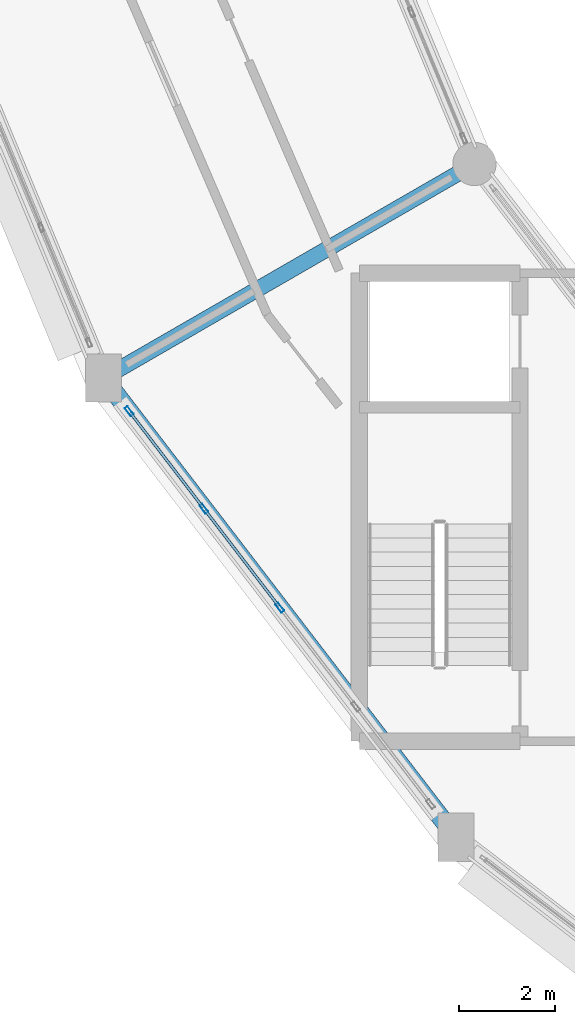
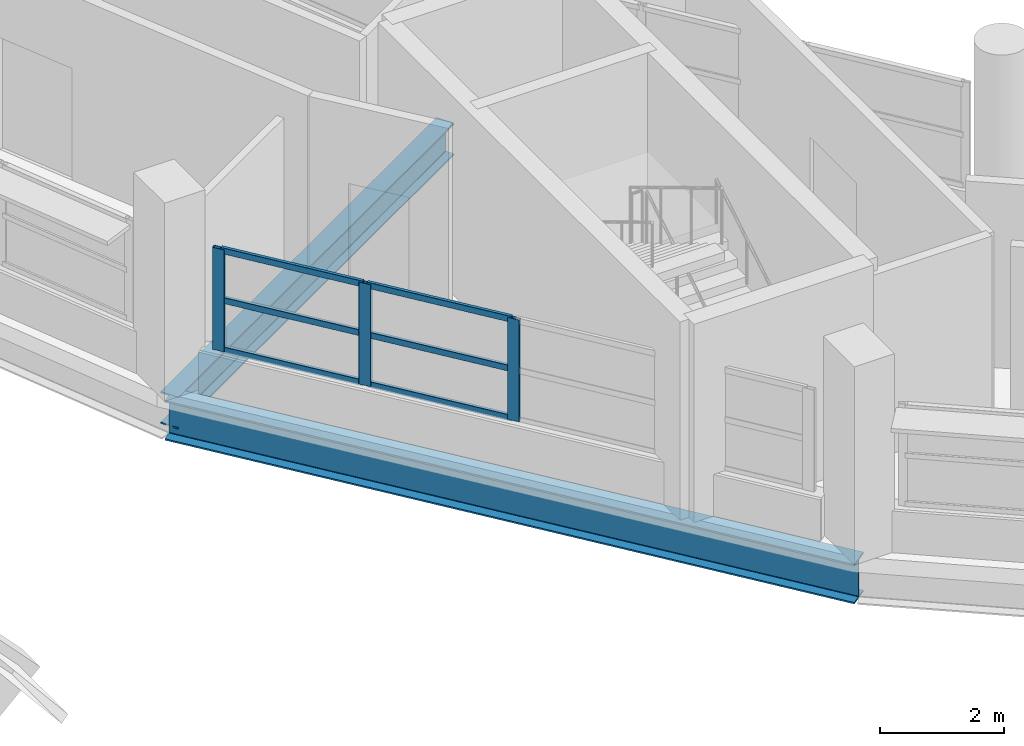
# One storey, part 17 of 88: 9 members, 2 beams, 1 element without a shape of its own.
"""IFC4 building model written with IfcOpenShell, lengths in metres."""

import ifcopenshell
import ifcopenshell.guid

model = None  # the IFC model being written
_history = None  # IfcOwnerHistory: only IFC2X3 demands one
_inside = {}  # id of a spatial element -> (the spatial element, [elements in it])
_under = {}  # id of a project, library or spatial element -> (it, [spatial elements below it])
_declared = {}  # id of a project -> (the project, [libraries it declares])
_typed = {}  # id of a type object -> (the type object, [elements of that type])
_made_of = {}  # id of a material, layer set ... -> (it, [elements and type objects made of it])


def new_model(schema):
    """Start an empty IFC model of exactly this schema.

    Asked for "IFC4X3", IfcOpenShell would pick the latest addendum, in which some entities
    have other attributes; the version numbers below select the first issue.
    IFC2X3 requires an IfcOwnerHistory on every rooted entity: one is made here for all.
    """
    global model, _history
    if schema == "IFC4X3":
        model = ifcopenshell.file(schema_version=(4, 3, 0, 0))
    else:
        model = ifcopenshell.file(schema=schema)
    _inside.clear()
    _under.clear()
    _declared.clear()
    _typed.clear()
    _made_of.clear()
    _history = None
    if model.schema == "IFC2X3":
        org = make("IfcOrganization", Name="unknown")
        user = make(
            "IfcPersonAndOrganization",
            ThePerson=make("IfcPerson", FamilyName="unknown"),
            TheOrganization=org,
        )
        app = make(
            "IfcApplication",
            ApplicationDeveloper=org,
            Version="unknown",
            ApplicationFullName="unknown",
            ApplicationIdentifier="unknown",
        )
        _history = make(
            "IfcOwnerHistory",
            OwningUser=user,
            OwningApplication=app,
            ChangeAction="ADDED",
            CreationDate=0,
        )
    return model


def make(cls, **values):
    """One entity of the class cls with the attributes given. An attribute that is None is left unset."""
    return model.create_entity(
        cls, **{name: value for name, value in values.items() if value is not None}
    )


def rooted(cls, **values):
    """An entity with a GlobalId (a new one), such as an element, a storey or a relation."""
    return make(cls, GlobalId=ifcopenshell.guid.new(), OwnerHistory=_history, **values)


def si_unit(unit_type, name, prefix=None):
    """IfcSIUnit, for example si_unit("LENGTHUNIT", "METRE", prefix="MILLI")."""
    return make("IfcSIUnit", UnitType=unit_type, Prefix=prefix, Name=name)


def assignment(units):
    """IfcUnitAssignment: the units of a project."""
    return None if units is None else make("IfcUnitAssignment", Units=units)


def point(xyz):
    """IfcCartesianPoint."""
    return None if xyz is None else make("IfcCartesianPoint", Coordinates=xyz)


def direction(xyz):
    """IfcDirection."""
    return None if xyz is None else make("IfcDirection", DirectionRatios=xyz)


def frame(location, z_axis=None, x_axis=None):
    """IfcAxis2Placement3D, a coordinate frame: its origin and axes. An axis left out is left unset."""
    return make(
        "IfcAxis2Placement3D",
        Location=point(location),
        Axis=direction(z_axis),
        RefDirection=direction(x_axis),
    )


def frame_2d(location, x_axis=None):
    """IfcAxis2Placement2D, a coordinate frame in the plane: its origin and x axis."""
    return make(
        "IfcAxis2Placement2D", Location=point(location), RefDirection=direction(x_axis)
    )


def origin():
    """The frame at (0, 0, 0) with its axes left unset."""
    return frame((0.0, 0.0, 0.0))


def origin_2d():
    """The frame at (0, 0) in the plane with its x axis left unset."""
    return frame_2d((0.0, 0.0))


def place(relative_to, where):
    """IfcLocalPlacement: puts the frame where relative to a parent placement (None: the world)."""
    return make(
        "IfcLocalPlacement", PlacementRelTo=relative_to, RelativePlacement=where
    )


def context(
    kind, dimensions, precision=None, world=None, true_north=None, identifier=None
):
    """IfcGeometricRepresentationContext, for example the 3D "Model" context."""
    return make(
        "IfcGeometricRepresentationContext",
        ContextIdentifier=identifier,
        ContextType=kind,
        CoordinateSpaceDimension=dimensions,
        Precision=precision,
        WorldCoordinateSystem=world,
        TrueNorth=true_north,
    )


def subcontext(parent, identifier, kind, view, scale=None):
    """IfcGeometricRepresentationSubContext, for example "Body" below "Model"."""
    return make(
        "IfcGeometricRepresentationSubContext",
        ContextIdentifier=identifier,
        ContextType=kind,
        ParentContext=parent,
        TargetScale=scale,
        TargetView=view,
    )


def project(units=None, contexts=None):
    """IfcProject with its units and contexts."""
    return rooted(
        "IfcProject",
        Name="project",
        RepresentationContexts=contexts,
        UnitsInContext=assignment(units),
    )


def spatial(cls, under=None, at=None, **own):
    """A site, building, storey or space (cls), placed at a placement, below another one or the project."""
    s = rooted(cls, ObjectPlacement=at, **own)
    if under is not None:
        _under.setdefault(under.id(), (under, []))[1].append(s)
    return s


def profile(cls, at=None, kind="AREA", **sizes):
    """A parametric profile (cls). Its sizes go by their IFC names, for example OverallWidth=200.0."""
    return make(cls, ProfileType=kind, Position=at, **sizes)


def hollow_rectangle(**sizes):
    """IfcRectangleHollowProfileDef."""
    return profile("IfcRectangleHollowProfileDef", **sizes)


def i_section(**sizes):
    """IfcIShapeProfileDef."""
    return profile("IfcIShapeProfileDef", **sizes)


def extrude(swept, where, along, depth):
    """IfcExtrudedAreaSolid: the profile swept, set in the frame where, extruded along a direction by depth."""
    return make(
        "IfcExtrudedAreaSolid",
        SweptArea=swept,
        Position=where,
        ExtrudedDirection=direction(along),
        Depth=depth,
    )


def shape(context_of_items, identifier, shape_type, items):
    """IfcShapeRepresentation: the items that make up one representation, for example the "Body"."""
    return make(
        "IfcShapeRepresentation",
        ContextOfItems=context_of_items,
        RepresentationIdentifier=identifier,
        RepresentationType=shape_type,
        Items=items,
    )


def material(Name=None, Category=None):
    """IfcMaterial."""
    return make("IfcMaterial", Name=Name, Category=Category)


def layer(
    of_material, thickness, ventilated=None, Name=None, Category=None, Priority=None
):
    """IfcMaterialLayer: one layer of a wall or slab, of a material (None: an air gap)."""
    return make(
        "IfcMaterialLayer",
        Material=of_material,
        LayerThickness=thickness,
        IsVentilated=ventilated,
        Name=Name,
        Category=Category,
        Priority=Priority,
    )


def layer_set(layers, Name=None):
    """IfcMaterialLayerSet."""
    return make("IfcMaterialLayerSet", MaterialLayers=layers, LayerSetName=Name)


def material_profile(
    of_material, cross_section, Name=None, Category=None, Priority=None
):
    """IfcMaterialProfile: a cross section and its material."""
    return make(
        "IfcMaterialProfile",
        Name=Name,
        Material=of_material,
        Profile=cross_section,
        Priority=Priority,
        Category=Category,
    )


def profile_set(profiles, Name=None, composite=None):
    """IfcMaterialProfileSet."""
    return make(
        "IfcMaterialProfileSet",
        Name=Name,
        MaterialProfiles=profiles,
        CompositeProfile=composite,
    )


def made_of(thing, what):
    """Note that an element or type object is made of a material, layer set ...; save() writes the relation."""
    if what is not None:
        _made_of.setdefault(what.id(), (what, []))[1].append(thing)
    return thing


def type_object(cls, material=None, **own):
    """A type object (cls), such as IfcWallType, which elements share."""
    return made_of(rooted(cls, **own), material)


def element(
    cls,
    number,
    at=None,
    inside=None,
    cuts=None,
    type_object=None,
    material=None,
    context=None,
    identifier="Body",
    shape_type=None,
    held_by="IfcProductDefinitionShape",
    body=None,
    shapes=None,
    **own,
):
    """One element of the class cls, such as IfcWall. Its Tag is "e" and its number.

    at: its placement. inside: the storey or other place that contains it. cuts: it is an
    opening in that element (IfcRelVoidsElement). A single representation is given by context,
    identifier, shape_type and body (its items); several are given by shapes. held_by: the class
    of the entity that holds the representations. save() writes the other relations.
    """
    e = rooted(cls, Tag="e%d" % number, ObjectPlacement=at, **own)
    if body is not None:
        shapes = [shape(context, identifier, shape_type, body)]
    if shapes is not None:
        e.Representation = make(held_by, Representations=shapes)
    if inside is not None:
        _inside.setdefault(inside.id(), (inside, []))[1].append(e)
    if cuts is not None:
        rooted(
            "IfcRelVoidsElement", RelatingBuildingElement=cuts, RelatedOpeningElement=e
        )
    if type_object is not None:
        _typed.setdefault(type_object.id(), (type_object, []))[1].append(e)
    return made_of(e, material)


def aggregate(whole, parts):
    """IfcRelAggregates: a whole, such as a stair, and the parts it consists of."""
    return rooted("IfcRelAggregates", RelatingObject=whole, RelatedObjects=parts)


def save(model, path):
    """Write the relations noted so far, then the file.

    IfcRelAggregates (storeys below a building ...), IfcRelContainedInSpatialStructure (elements
    in a storey), IfcRelDefinesByType, IfcRelAssociatesMaterial and IfcRelDeclares: one each for
    every whole, place, type object, material and project.
    """
    for whole, parts in _under.values():
        aggregate(whole, parts)
    for where, things in _inside.values():
        rooted(
            "IfcRelContainedInSpatialStructure",
            RelatedElements=things,
            RelatingStructure=where,
        )
    for kind, things in _typed.values():
        rooted("IfcRelDefinesByType", RelatedObjects=things, RelatingType=kind)
    for what, things in _made_of.values():
        rooted("IfcRelAssociatesMaterial", RelatedObjects=things, RelatingMaterial=what)
    for by, libraries in _declared.values():
        rooted("IfcRelDeclares", RelatingContext=by, RelatedDefinitions=libraries)
    model.write(path)


model = new_model("IFC4")

# Units and contexts
model_context = context("Model", 3, precision=1e-05, world=origin(), true_north=direction((0.0, 1.0)))
body_context = subcontext(model_context, "Body", "Model", "MODEL_VIEW")
ifc_project = project(units=[si_unit("LENGTHUNIT", "METRE"), si_unit("AREAUNIT", "SQUARE_METRE"), si_unit("VOLUMEUNIT", "CUBIC_METRE"), si_unit("PLANEANGLEUNIT", "RADIAN"), si_unit("MASSUNIT", "GRAM", prefix="KILO")], contexts=[model_context])

# Site, building, storey
site_placement = place(None, origin())
site = spatial("IfcSite", under=ifc_project, at=site_placement, CompositionType="ELEMENT")
building_placement = place(site_placement, origin())
building = spatial("IfcBuilding", under=site, at=building_placement, Name="Vespera Passage Community Centre", CompositionType="ELEMENT")
storey_placement = place(building_placement, frame((0.0, 0.0, 16.5)))
storey = spatial("IfcBuildingStorey", under=building, at=storey_placement, Name="L04", CompositionType="ELEMENT", Elevation=16.5)

# Beams
ifc_material_1 = material(Name="Steel ASTM A992 Grade 50", Category="steel")
ifc_material_profile_1 = material_profile(ifc_material_1, i_section(OverallWidth=0.32763671875, OverallDepth=0.62841796875, WebThickness=0.0166015625, FlangeThickness=0.027587890625, FilletRadius=0.0126953125, at=origin_2d()), Name="W24X146")
ifc_profile_set_1 = profile_set([ifc_material_profile_1], Name="Steel ASTM A992 Grade 50")
beam_type_1 = type_object("IfcBeamType", Name="BM-G-W24X146", PredefinedType="BEAM", material=ifc_profile_set_1)
beam_1_placement = place(storey_placement, frame((45.783935546875, 46.89990234375, -0.6142578125), z_axis=(-0.866031643847, -0.499989191739, 0.0), x_axis=(0.499989191739, -0.866031643847, 0.0)))
element("IfcBeam", 1, at=beam_1_placement, inside=storey, type_object=beam_type_1, Name="V4 L04 Radial Girder 14", PredefinedType="BEAM", context=body_context, shape_type="SweptSolid", body=[
    extrude(i_section(OverallWidth=0.32763671875, OverallDepth=0.62841796875, WebThickness=0.0166015625, FlangeThickness=0.027587890625, FilletRadius=0.0126953125, at=origin_2d()), origin(), (0.0, 0.0, 1.0), 8.900146484375),
])
ifc_material_2 = material(Name="Steel ASTM A992 Grade 50", Category="steel")
ifc_material_profile_2 = material_profile(ifc_material_2, i_section(OverallWidth=0.382080078125, OverallDepth=0.779296875, WebThickness=0.01806640625, FlangeThickness=0.030029296875, FilletRadius=0.0166015625, at=origin_2d()), Name="W30X191")
ifc_profile_set_2 = profile_set([ifc_material_profile_2], Name="Steel ASTM A992 Grade 50")
beam_type_2 = type_object("IfcBeamType", Name="BM-SP-W30X191E", PredefinedType="SPANDREL", material=ifc_profile_set_2)
beam_2_placement = place(storey_placement, frame((38.076171875, 42.449951171875, -0.689697265625), z_axis=(0.608763261066, -0.793351934501, 0.0), x_axis=(0.793351934501, 0.608763261066, 0.0)))
element("IfcBeam", 2, at=beam_2_placement, inside=storey, type_object=beam_type_2, Name="V4 L04 Outer Spandrel 14", PredefinedType="SPANDREL", context=body_context, shape_type="SweptSolid", body=[
    extrude(i_section(OverallWidth=0.382080078125, OverallDepth=0.779296875, WebThickness=0.01806640625, FlangeThickness=0.030029296875, FilletRadius=0.0166015625, at=origin_2d()), origin(), (0.0, 0.0, 1.0), 12.034423828125),
])

# Curtain wall, members
ifc_material_3 = material(Name="Anodized aluminium 6063-T6", Category="aluminium")
ifc_layer = layer(ifc_material_3, 0.159912109375)
ifc_layer_set = layer_set([ifc_layer], Name="Anodized aluminium 6063-T6")
curtain_wall_type = type_object("IfcCurtainWallType", Name="CW-66E", PredefinedType="NOTDEFINED", material=ifc_layer_set)
curtain_wall_placement = place(storey_placement, origin())
curtain_wall = element("IfcCurtainWall", 3, at=curtain_wall_placement, inside=storey, type_object=curtain_wall_type, Name="V4 L04 Outer Ribbon Curtain Wall 14", PredefinedType="NOTDEFINED")
ifc_material_4 = material(Name="Anodized aluminium 6063-T6", Category="aluminium")
ifc_material_profile_3 = material_profile(ifc_material_4, hollow_rectangle(XDim=0.074951171875, YDim=0.2099609375, WallThickness=0.0048828125, InnerFilletRadius=0.00244140625, OuterFilletRadius=0.0048828125, at=origin_2d()), Name="ALU210X75X5")
ifc_profile_set_3 = profile_set([ifc_material_profile_3], Name="Anodized aluminium 6063-T6")
member_type_1 = type_object("IfcMemberType", Name="MB-CWM-210E", PredefinedType="MULLION", material=ifc_profile_set_3)
member_1_placement = place(storey_placement, frame((41.7392578125, 37.67626953125, 0.820068359375), z_axis=(0.0, 0.0, 1.0), x_axis=(-0.793350257139, -0.608765447029, 0.0)))
member_1 = element("IfcMember", 4, at=member_1_placement, type_object=member_type_1, Name="CW-66E mullion 3", PredefinedType="MULLION", context=body_context, shape_type="SweptSolid", body=[
    extrude(hollow_rectangle(XDim=0.074951171875, YDim=0.2099609375, WallThickness=0.0048828125, InnerFilletRadius=0.00244140625, OuterFilletRadius=0.0048828125, at=origin_2d()), origin(), (0.0, 0.0, 1.0), 2.005615234375),
])
member_2_placement = place(storey_placement, frame((40.16064453125, 39.7333984375, 0.820068359375), z_axis=(0.0, 0.0, 1.0), x_axis=(-0.793350257139, -0.608765447029, 0.0)))
member_2 = element("IfcMember", 5, at=member_2_placement, type_object=member_type_1, Name="CW-66E mullion 4", PredefinedType="MULLION", context=body_context, shape_type="SweptSolid", body=[
    extrude(hollow_rectangle(XDim=0.074951171875, YDim=0.2099609375, WallThickness=0.0048828125, InnerFilletRadius=0.00244140625, OuterFilletRadius=0.0048828125, at=origin_2d()), origin(), (0.0, 0.0, 1.0), 2.005615234375),
])
member_3_placement = place(storey_placement, frame((38.60498046875, 41.760986328125, 0.820068359375), z_axis=(0.0, 0.0, 1.0), x_axis=(-0.793350257139, -0.608765447029, 0.0)))
member_3 = element("IfcMember", 6, at=member_3_placement, type_object=member_type_1, Name="CW-66E mullion 5", PredefinedType="MULLION", context=body_context, shape_type="SweptSolid", body=[
    extrude(hollow_rectangle(XDim=0.074951171875, YDim=0.2099609375, WallThickness=0.0048828125, InnerFilletRadius=0.00244140625, OuterFilletRadius=0.0048828125, at=origin_2d()), origin(), (0.0, 0.0, 1.0), 2.005615234375),
])
ifc_material_5 = material(Name="Anodized aluminium 6063-T6", Category="aluminium")
ifc_material_profile_4 = material_profile(ifc_material_5, hollow_rectangle(XDim=0.06005859375, YDim=0.1201171875, WallThickness=0.00390625, InnerFilletRadius=0.001953125, OuterFilletRadius=0.00390625, at=origin_2d()), Name="ALU120X60X4")
ifc_profile_set_4 = profile_set([ifc_material_profile_4], Name="Anodized aluminium 6063-T6")
member_type_2 = type_object("IfcMemberType", Name="MB-CWT-120E", PredefinedType="USERDEFINED", material=ifc_profile_set_4)
member_4_placement = place(storey_placement, frame((41.716552734375, 37.7060546875, 0.85009765625), z_axis=(-0.608806013392, 0.7933191275, 0.0), x_axis=(-0.7933191275, -0.608806013392, 0.0)))
member_4 = element("IfcMember", 7, at=member_4_placement, type_object=member_type_2, Name="CW-66E transom 3.1", ObjectType="TRANSOM", PredefinedType="USERDEFINED", context=body_context, shape_type="SweptSolid", body=[
    extrude(hollow_rectangle(XDim=0.06005859375, YDim=0.1201171875, WallThickness=0.00390625, InnerFilletRadius=0.001953125, OuterFilletRadius=0.00390625, at=origin_2d()), origin(), (0.0, 0.0, 1.0), 2.51806640625),
])
member_5_placement = place(storey_placement, frame((41.716552734375, 37.7060546875, 1.82275390625), z_axis=(-0.608806013392, 0.7933191275, 0.0), x_axis=(-0.7933191275, -0.608806013392, 0.0)))
member_5 = element("IfcMember", 8, at=member_5_placement, type_object=member_type_2, Name="CW-66E transom 3.2", ObjectType="TRANSOM", PredefinedType="USERDEFINED", context=body_context, shape_type="SweptSolid", body=[
    extrude(hollow_rectangle(XDim=0.06005859375, YDim=0.1201171875, WallThickness=0.00390625, InnerFilletRadius=0.001953125, OuterFilletRadius=0.00390625, at=origin_2d()), origin(), (0.0, 0.0, 1.0), 2.51806640625),
])
member_6_placement = place(storey_placement, frame((41.716552734375, 37.7060546875, 2.795654296875), z_axis=(-0.608806013392, 0.7933191275, 0.0), x_axis=(-0.7933191275, -0.608806013392, 0.0)))
member_6 = element("IfcMember", 9, at=member_6_placement, type_object=member_type_2, Name="CW-66E transom 3.3", ObjectType="TRANSOM", PredefinedType="USERDEFINED", context=body_context, shape_type="SweptSolid", body=[
    extrude(hollow_rectangle(XDim=0.06005859375, YDim=0.1201171875, WallThickness=0.00390625, InnerFilletRadius=0.001953125, OuterFilletRadius=0.00390625, at=origin_2d()), origin(), (0.0, 0.0, 1.0), 2.51806640625),
])
member_7_placement = place(storey_placement, frame((40.137939453125, 39.76318359375, 0.85009765625), z_axis=(-0.608797179099, 0.793325907002, 0.0), x_axis=(-0.793325907002, -0.608797179099, 0.0)))
member_7 = element("IfcMember", 10, at=member_7_placement, type_object=member_type_2, Name="CW-66E transom 4.1", ObjectType="TRANSOM", PredefinedType="USERDEFINED", context=body_context, shape_type="SweptSolid", body=[
    extrude(hollow_rectangle(XDim=0.06005859375, YDim=0.1201171875, WallThickness=0.00390625, InnerFilletRadius=0.001953125, OuterFilletRadius=0.00390625, at=origin_2d()), origin(), (0.0, 0.0, 1.0), 2.480712890625),
])
member_8_placement = place(storey_placement, frame((40.137939453125, 39.76318359375, 1.82275390625), z_axis=(-0.608797179099, 0.793325907002, 0.0), x_axis=(-0.793325907002, -0.608797179099, 0.0)))
member_8 = element("IfcMember", 11, at=member_8_placement, type_object=member_type_2, Name="CW-66E transom 4.2", ObjectType="TRANSOM", PredefinedType="USERDEFINED", context=body_context, shape_type="SweptSolid", body=[
    extrude(hollow_rectangle(XDim=0.06005859375, YDim=0.1201171875, WallThickness=0.00390625, InnerFilletRadius=0.001953125, OuterFilletRadius=0.00390625, at=origin_2d()), origin(), (0.0, 0.0, 1.0), 2.480712890625),
])
member_9_placement = place(storey_placement, frame((40.137939453125, 39.76318359375, 2.795654296875), z_axis=(-0.608797179099, 0.793325907002, 0.0), x_axis=(-0.793325907002, -0.608797179099, 0.0)))
member_9 = element("IfcMember", 12, at=member_9_placement, type_object=member_type_2, Name="CW-66E transom 4.3", ObjectType="TRANSOM", PredefinedType="USERDEFINED", context=body_context, shape_type="SweptSolid", body=[
    extrude(hollow_rectangle(XDim=0.06005859375, YDim=0.1201171875, WallThickness=0.00390625, InnerFilletRadius=0.001953125, OuterFilletRadius=0.00390625, at=origin_2d()), origin(), (0.0, 0.0, 1.0), 2.480712890625),
])
aggregate(curtain_wall, [member_1, member_2, member_3, member_4, member_5, member_6, member_7, member_8, member_9])

save(model, "model.ifc")
